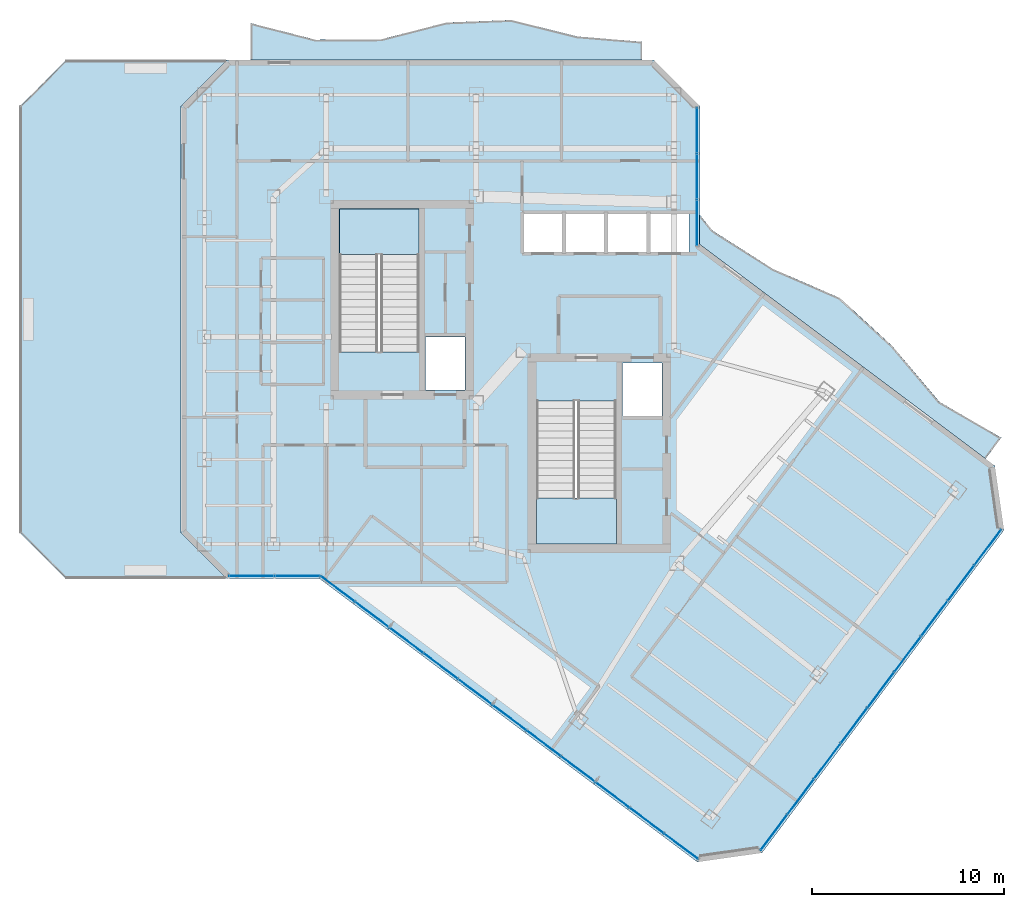
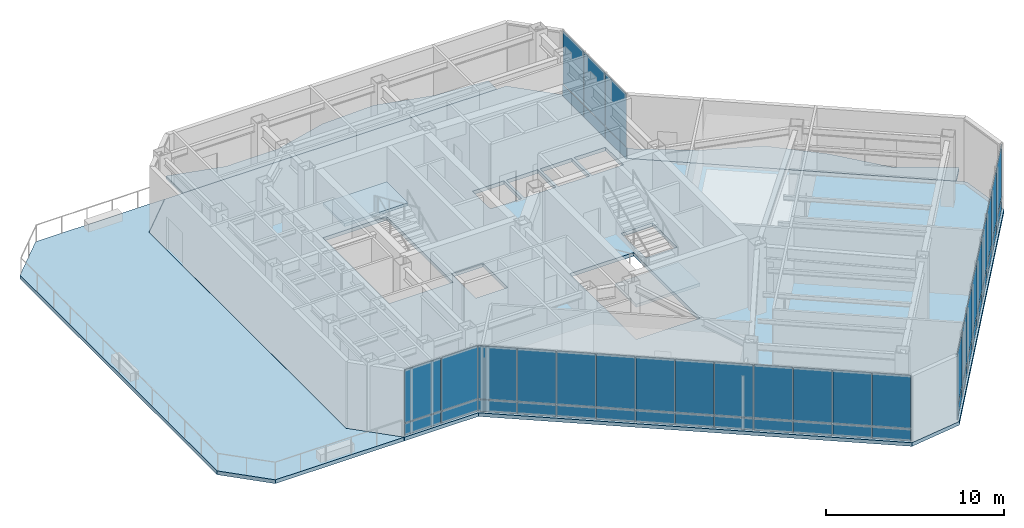
# One storey, part 15 of 21: 50 plates, 6 slabs, 6 elements without a shape of their own.
"""IFC4 building model written with IfcOpenShell, lengths in metres."""

from ifc_helpers import new_model, si_unit, direction, frame, origin, origin_2d, place, context, subcontext, project, spatial, polyline, rectangle, outline, extrude, material, layer, layer_set, type_object, element, aggregate, save


model = new_model("IFC4")

# Units and contexts
model_context = context("Model", 3, precision=1e-05, world=origin(), true_north=direction((0.0, 1.0)))
body_context = subcontext(model_context, "Body", "Model", "MODEL_VIEW")
ifc_project = project(units=[si_unit("LENGTHUNIT", "METRE"), si_unit("AREAUNIT", "SQUARE_METRE"), si_unit("VOLUMEUNIT", "CUBIC_METRE"), si_unit("PLANEANGLEUNIT", "RADIAN"), si_unit("MASSUNIT", "GRAM", prefix="KILO")], contexts=[model_context])

# Site, building, storey
site_placement = place(None, origin())
site = spatial("IfcSite", under=ifc_project, at=site_placement, CompositionType="ELEMENT")
building_placement = place(site_placement, origin())
building = spatial("IfcBuilding", under=site, at=building_placement, Name="Hatsunagi Terrace Concourse", CompositionType="ELEMENT")
storey_placement = place(building_placement, frame((0.0, 0.0, 186.75)))
storey = spatial("IfcBuildingStorey", under=building, at=storey_placement, Name="L49", CompositionType="ELEMENT", Elevation=186.75)

# Curtain wall, plates
ifc_material_1 = material(Name="Anodised Aluminium Alloy 6063-T5", Category="aluminium")
ifc_layer_1 = layer(ifc_material_1, 0.199951171875)
ifc_layer_set_1 = layer_set([ifc_layer_1], Name="SkyLobbyAtrium_CW05")
curtain_wall_type = type_object("IfcCurtainWallType", Name="SkyLobbyAtrium_CW05", PredefinedType="NOTDEFINED", material=ifc_layer_set_1)
curtain_wall_1_placement = place(storey_placement, origin())
curtain_wall_1 = element("IfcCurtainWall", 1, at=curtain_wall_1_placement, inside=storey, type_object=curtain_wall_type, Name="Unitised Curtain Wall CW-05 CW-L49-03", PredefinedType="NOTDEFINED")
ifc_material_2 = material(Name="Warm Terracotta Ceramic Spandrel Panel", Category="masonry")
ifc_layer_2 = layer(ifc_material_2, 0.031982421875)
ifc_layer_set_2 = layer_set([ifc_layer_2], Name="CurtainWallSpandrelPanel_32")
plate_type_1 = type_object("IfcPlateType", Name="CurtainWallSpandrelPanel_32", PredefinedType="SHEET", material=ifc_layer_set_2)
plate_1_placement = place(storey_placement, frame((59.9970703125, 25.030029296875, 0.030029296875), z_axis=(0.0, 0.0, 1.0), x_axis=(-0.599969314634, -0.800023013105, 0.0)))
plate_1 = element("IfcPlate", 2, at=plate_1_placement, type_object=plate_type_1, Name="Terracotta Spandrel Panel SPN-01", PredefinedType="SHEET", context=body_context, shape_type="SweptSolid", body=[
    extrude(rectangle(XDim=2.264892578125, YDim=0.031982421875, at=origin_2d()), origin(), (0.0, 0.0, 1.0), 0.7900390625),
])
plate_2_placement = place(storey_placement, frame((58.60498046875, 23.173095703125, 0.030029296875), z_axis=(0.0, 0.0, 1.0), x_axis=(-0.599969314634, -0.800023013105, 0.0)))
plate_2 = element("IfcPlate", 3, at=plate_2_placement, type_object=plate_type_1, Name="Terracotta Spandrel Panel SPN-01", PredefinedType="SHEET", context=body_context, shape_type="SweptSolid", body=[
    extrude(rectangle(XDim=2.264892578125, YDim=0.031982421875, at=origin_2d()), origin(), (0.0, 0.0, 1.0), 0.7900390625),
])
plate_3_placement = place(storey_placement, frame((57.2119140625, 21.31689453125, 0.030029296875), z_axis=(0.0, 0.0, 1.0), x_axis=(-0.599969314634, -0.800023013105, 0.0)))
plate_3 = element("IfcPlate", 4, at=plate_3_placement, type_object=plate_type_1, Name="Terracotta Spandrel Panel SPN-01", PredefinedType="SHEET", context=body_context, shape_type="SweptSolid", body=[
    extrude(rectangle(XDim=2.264892578125, YDim=0.031982421875, at=origin_2d()), origin(), (0.0, 0.0, 1.0), 0.7900390625),
])
plate_4_placement = place(storey_placement, frame((55.820068359375, 19.4599609375, 0.030029296875), z_axis=(0.0, 0.0, 1.0), x_axis=(-0.599969314634, -0.800023013105, 0.0)))
plate_4 = element("IfcPlate", 5, at=plate_4_placement, type_object=plate_type_1, Name="Terracotta Spandrel Panel SPN-01", PredefinedType="SHEET", context=body_context, shape_type="SweptSolid", body=[
    extrude(rectangle(XDim=2.264892578125, YDim=0.031982421875, at=origin_2d()), origin(), (0.0, 0.0, 1.0), 0.7900390625),
])
plate_5_placement = place(storey_placement, frame((54.427978515625, 17.60400390625, 0.030029296875), z_axis=(0.0, 0.0, 1.0), x_axis=(-0.599969314634, -0.800023013105, 0.0)))
plate_5 = element("IfcPlate", 6, at=plate_5_placement, type_object=plate_type_1, Name="Terracotta Spandrel Panel SPN-01", PredefinedType="SHEET", context=body_context, shape_type="SweptSolid", body=[
    extrude(rectangle(XDim=2.264892578125, YDim=0.031982421875, at=origin_2d()), origin(), (0.0, 0.0, 1.0), 0.7900390625),
])
plate_6_placement = place(storey_placement, frame((53.035888671875, 15.748046875, 0.030029296875), z_axis=(0.0, 0.0, 1.0), x_axis=(-0.599969314634, -0.800023013105, 0.0)))
plate_6 = element("IfcPlate", 7, at=plate_6_placement, type_object=plate_type_1, Name="Terracotta Spandrel Panel SPN-01", PredefinedType="SHEET", context=body_context, shape_type="SweptSolid", body=[
    extrude(rectangle(XDim=2.264892578125, YDim=0.031982421875, at=origin_2d()), origin(), (0.0, 0.0, 1.0), 0.7900390625),
])
plate_7_placement = place(storey_placement, frame((51.64404296875, 13.89111328125, 0.030029296875), z_axis=(0.0, 0.0, 1.0), x_axis=(-0.599969314634, -0.800023013105, 0.0)))
plate_7 = element("IfcPlate", 8, at=plate_7_placement, type_object=plate_type_1, Name="Terracotta Spandrel Panel SPN-01", PredefinedType="SHEET", context=body_context, shape_type="SweptSolid", body=[
    extrude(rectangle(XDim=2.264892578125, YDim=0.031982421875, at=origin_2d()), origin(), (0.0, 0.0, 1.0), 0.7900390625),
])
plate_8_placement = place(storey_placement, frame((50.2509765625, 12.034912109375, 0.030029296875), z_axis=(0.0, 0.0, 1.0), x_axis=(-0.599969314634, -0.800023013105, 0.0)))
plate_8 = element("IfcPlate", 9, at=plate_8_placement, type_object=plate_type_1, Name="Terracotta Spandrel Panel SPN-01", PredefinedType="SHEET", context=body_context, shape_type="SweptSolid", body=[
    extrude(rectangle(XDim=2.264892578125, YDim=0.031982421875, at=origin_2d()), origin(), (0.0, 0.0, 1.0), 0.7900390625),
])
plate_9_placement = place(storey_placement, frame((48.85888671875, 10.177978515625, 0.030029296875), z_axis=(0.0, 0.0, 1.0), x_axis=(-0.599969314634, -0.800023013105, 0.0)))
plate_9 = element("IfcPlate", 10, at=plate_9_placement, type_object=plate_type_1, Name="Terracotta Spandrel Panel SPN-01", PredefinedType="SHEET", context=body_context, shape_type="SweptSolid", body=[
    extrude(rectangle(XDim=2.264892578125, YDim=0.031982421875, at=origin_2d()), origin(), (0.0, 0.0, 1.0), 0.7900390625),
])

curtain_wall_2_placement = place(storey_placement, origin())
curtain_wall_2 = element("IfcCurtainWall", 11, at=curtain_wall_2_placement, inside=storey, type_object=curtain_wall_type, Name="Unitised Curtain Wall CW-05 CW-L49-05", PredefinedType="NOTDEFINED")
plate_10_placement = place(storey_placement, frame((44.02392578125, 9.4580078125, 0.030029296875), z_axis=(0.0, 0.0, 1.0), x_axis=(-0.800005211305, 0.599993051531, 0.0)))
plate_10 = element("IfcPlate", 12, at=plate_10_placement, type_object=plate_type_1, Name="Terracotta Spandrel Panel SPN-01", PredefinedType="SHEET", context=body_context, shape_type="SweptSolid", body=[
    extrude(rectangle(XDim=2.179931640625, YDim=0.031982421875, at=origin_2d()), origin(), (0.0, 0.0, 1.0), 0.7900390625),
])
plate_11_placement = place(storey_placement, frame((42.236083984375, 10.799072265625, 0.030029296875), z_axis=(0.0, 0.0, 1.0), x_axis=(-0.800005211305, 0.599993051531, 0.0)))
plate_11 = element("IfcPlate", 13, at=plate_11_placement, type_object=plate_type_1, Name="Terracotta Spandrel Panel SPN-01", PredefinedType="SHEET", context=body_context, shape_type="SweptSolid", body=[
    extrude(rectangle(XDim=2.179931640625, YDim=0.031982421875, at=origin_2d()), origin(), (0.0, 0.0, 1.0), 0.7900390625),
])
plate_12_placement = place(storey_placement, frame((40.447021484375, 12.139892578125, 0.030029296875), z_axis=(0.0, 0.0, 1.0), x_axis=(-0.800005211305, 0.599993051531, 0.0)))
plate_12 = element("IfcPlate", 14, at=plate_12_placement, type_object=plate_type_1, Name="Terracotta Spandrel Panel SPN-01", PredefinedType="SHEET", context=body_context, shape_type="SweptSolid", body=[
    extrude(rectangle(XDim=2.179931640625, YDim=0.031982421875, at=origin_2d()), origin(), (0.0, 0.0, 1.0), 0.7900390625),
])
plate_13_placement = place(storey_placement, frame((38.658935546875, 13.48095703125, 0.030029296875), z_axis=(0.0, 0.0, 1.0), x_axis=(-0.800005211305, 0.599993051531, 0.0)))
plate_13 = element("IfcPlate", 15, at=plate_13_placement, type_object=plate_type_1, Name="Terracotta Spandrel Panel SPN-01", PredefinedType="SHEET", context=body_context, shape_type="SweptSolid", body=[
    extrude(rectangle(XDim=2.179931640625, YDim=0.031982421875, at=origin_2d()), origin(), (0.0, 0.0, 1.0), 0.7900390625),
])
plate_14_placement = place(storey_placement, frame((36.87109375, 14.822021484375, 0.030029296875), z_axis=(0.0, 0.0, 1.0), x_axis=(-0.800005211305, 0.599993051531, 0.0)))
plate_14 = element("IfcPlate", 16, at=plate_14_placement, type_object=plate_type_1, Name="Terracotta Spandrel Panel SPN-01", PredefinedType="SHEET", context=body_context, shape_type="SweptSolid", body=[
    extrude(rectangle(XDim=2.179931640625, YDim=0.031982421875, at=origin_2d()), origin(), (0.0, 0.0, 1.0), 0.7900390625),
])
plate_15_placement = place(storey_placement, frame((35.08203125, 16.1630859375, 0.030029296875), z_axis=(0.0, 0.0, 1.0), x_axis=(-0.800005211305, 0.599993051531, 0.0)))
plate_15 = element("IfcPlate", 17, at=plate_15_placement, type_object=plate_type_1, Name="Terracotta Spandrel Panel SPN-01", PredefinedType="SHEET", context=body_context, shape_type="SweptSolid", body=[
    extrude(rectangle(XDim=2.179931640625, YDim=0.031982421875, at=origin_2d()), origin(), (0.0, 0.0, 1.0), 0.7900390625),
])
plate_16_placement = place(storey_placement, frame((33.2939453125, 17.5048828125, 0.030029296875), z_axis=(0.0, 0.0, 1.0), x_axis=(-0.800005211305, 0.599993051531, 0.0)))
plate_16 = element("IfcPlate", 18, at=plate_16_placement, type_object=plate_type_1, Name="Terracotta Spandrel Panel SPN-01", PredefinedType="SHEET", context=body_context, shape_type="SweptSolid", body=[
    extrude(rectangle(XDim=2.179931640625, YDim=0.031982421875, at=origin_2d()), origin(), (0.0, 0.0, 1.0), 0.7900390625),
])
plate_17_placement = place(storey_placement, frame((31.506103515625, 18.845947265625, 0.030029296875), z_axis=(0.0, 0.0, 1.0), x_axis=(-0.800005211305, 0.599993051531, 0.0)))
plate_17 = element("IfcPlate", 19, at=plate_17_placement, type_object=plate_type_1, Name="Terracotta Spandrel Panel SPN-01", PredefinedType="SHEET", context=body_context, shape_type="SweptSolid", body=[
    extrude(rectangle(XDim=2.179931640625, YDim=0.031982421875, at=origin_2d()), origin(), (0.0, 0.0, 1.0), 0.7900390625),
])
plate_18_placement = place(storey_placement, frame((29.718017578125, 20.18701171875, 0.030029296875), z_axis=(0.0, 0.0, 1.0), x_axis=(-0.800005211305, 0.599993051531, 0.0)))
plate_18 = element("IfcPlate", 20, at=plate_18_placement, type_object=plate_type_1, Name="Terracotta Spandrel Panel SPN-01", PredefinedType="SHEET", context=body_context, shape_type="SweptSolid", body=[
    extrude(rectangle(XDim=2.179931640625, YDim=0.031982421875, at=origin_2d()), origin(), (0.0, 0.0, 1.0), 0.7900390625),
])
plate_19_placement = place(storey_placement, frame((27.928955078125, 21.528076171875, 0.030029296875), z_axis=(0.0, 0.0, 1.0), x_axis=(-0.800005211305, 0.599993051531, 0.0)))
plate_19 = element("IfcPlate", 21, at=plate_19_placement, type_object=plate_type_1, Name="Terracotta Spandrel Panel SPN-01", PredefinedType="SHEET", context=body_context, shape_type="SweptSolid", body=[
    extrude(rectangle(XDim=2.179931640625, YDim=0.031982421875, at=origin_2d()), origin(), (0.0, 0.0, 1.0), 0.7900390625),
])
plate_20_placement = place(storey_placement, frame((26.14111328125, 22.868896484375, 0.030029296875), z_axis=(0.0, 0.0, 1.0), x_axis=(-0.800005211305, 0.599993051531, 0.0)))
plate_20 = element("IfcPlate", 22, at=plate_20_placement, type_object=plate_type_1, Name="Terracotta Spandrel Panel SPN-01", PredefinedType="SHEET", context=body_context, shape_type="SweptSolid", body=[
    extrude(rectangle(XDim=2.179931640625, YDim=0.031982421875, at=origin_2d()), origin(), (0.0, 0.0, 1.0), 0.7900390625),
])

curtain_wall_3_placement = place(storey_placement, origin())
curtain_wall_3 = element("IfcCurtainWall", 23, at=curtain_wall_3_placement, inside=storey, type_object=curtain_wall_type, Name="Unitised Curtain Wall CW-05 CW-L49-06", PredefinedType="NOTDEFINED")
plate_21_placement = place(storey_placement, frame((24.050048828125, 23.5400390625, 0.030029296875), z_axis=(0.0, 0.0, 1.0), x_axis=(-1.0, 0.0, 0.0)))
plate_21 = element("IfcPlate", 24, at=plate_21_placement, type_object=plate_type_1, Name="Terracotta Spandrel Panel SPN-01", PredefinedType="SHEET", context=body_context, shape_type="SweptSolid", body=[
    extrude(rectangle(XDim=2.340087890625, YDim=0.031982421875, at=origin_2d()), origin(), (0.0, 0.0, 1.0), 0.7900390625),
])
plate_22_placement = place(storey_placement, frame((21.655029296875, 23.5400390625, 0.030029296875), z_axis=(0.0, 0.0, 1.0), x_axis=(-1.0, 0.0, 0.0)))
plate_22 = element("IfcPlate", 25, at=plate_22_placement, type_object=plate_type_1, Name="Terracotta Spandrel Panel SPN-01", PredefinedType="SHEET", context=body_context, shape_type="SweptSolid", body=[
    extrude(rectangle(XDim=2.340087890625, YDim=0.031982421875, at=origin_2d()), origin(), (0.0, 0.0, 1.0), 0.7900390625),
])

curtain_wall_4_placement = place(storey_placement, origin())
curtain_wall_4 = element("IfcCurtainWall", 26, at=curtain_wall_4_placement, inside=storey, type_object=curtain_wall_type, Name="Unitised Curtain Wall CW-05 CW-L49-12", PredefinedType="NOTDEFINED")
plate_23_placement = place(storey_placement, frame((44.860107421875, 46.739990234375, 0.030029296875), z_axis=(0.0, 0.0, 1.0), x_axis=(0.0, -1.0, 0.0)))
plate_23 = element("IfcPlate", 27, at=plate_23_placement, type_object=plate_type_1, Name="Terracotta Spandrel Panel SPN-01", PredefinedType="SHEET", context=body_context, shape_type="SweptSolid", body=[
    extrude(rectangle(XDim=2.34912109375, YDim=0.031982421875, at=origin_2d()), origin(), (0.0, 0.0, 1.0), 0.7900390625),
])
plate_24_placement = place(storey_placement, frame((44.860107421875, 44.3359375, 0.030029296875), z_axis=(0.0, 0.0, 1.0), x_axis=(0.0, -1.0, 0.0)))
plate_24 = element("IfcPlate", 28, at=plate_24_placement, type_object=plate_type_1, Name="Terracotta Spandrel Panel SPN-01", PredefinedType="SHEET", context=body_context, shape_type="SweptSolid", body=[
    extrude(rectangle(XDim=2.34912109375, YDim=0.031982421875, at=origin_2d()), origin(), (0.0, 0.0, 1.0), 0.7900390625),
])
plate_25_placement = place(storey_placement, frame((44.860107421875, 41.931884765625, 0.030029296875), z_axis=(0.0, 0.0, 1.0), x_axis=(0.0, -1.0, 0.0)))
plate_25 = element("IfcPlate", 29, at=plate_25_placement, type_object=plate_type_1, Name="Terracotta Spandrel Panel SPN-01", PredefinedType="SHEET", context=body_context, shape_type="SweptSolid", body=[
    extrude(rectangle(XDim=2.34912109375, YDim=0.031982421875, at=origin_2d()), origin(), (0.0, 0.0, 1.0), 0.7900390625),
])

# Plate
ifc_material_3 = material(Name="Low-E Double Insulating Glass 28mm", Category="glass")
ifc_layer_3 = layer(ifc_material_3, 0.028076171875)
ifc_layer_set_3 = layer_set([ifc_layer_3], Name="CurtainWallVisionGlass_28")
plate_type_2 = type_object("IfcPlateType", Name="CurtainWallVisionGlass_28", PredefinedType="CURTAIN_PANEL", material=ifc_layer_set_3)
plate_26_placement = place(storey_placement, frame((59.9970703125, 25.030029296875, 0.8798828125), z_axis=(0.0, 0.0, 1.0), x_axis=(-0.599969314634, -0.800023013105, 0.0)))
plate_26 = element("IfcPlate", 30, at=plate_26_placement, type_object=plate_type_2, Name="Low-E Vision Glass Panel GLZ-01", PredefinedType="CURTAIN_PANEL", context=body_context, shape_type="SweptSolid", body=[
    extrude(rectangle(XDim=2.264892578125, YDim=0.028076171875, at=origin_2d()), origin(), (0.0, 0.0, 1.0), 3.639892578125),
])

plate_27_placement = place(storey_placement, frame((58.60498046875, 23.173095703125, 0.8798828125), z_axis=(0.0, 0.0, 1.0), x_axis=(-0.599969314634, -0.800023013105, 0.0)))
plate_27 = element("IfcPlate", 31, at=plate_27_placement, type_object=plate_type_2, Name="Low-E Vision Glass Panel GLZ-01", PredefinedType="CURTAIN_PANEL", context=body_context, shape_type="SweptSolid", body=[
    extrude(rectangle(XDim=2.264892578125, YDim=0.028076171875, at=origin_2d()), origin(), (0.0, 0.0, 1.0), 3.639892578125),
])

plate_28_placement = place(storey_placement, frame((57.2119140625, 21.31689453125, 0.8798828125), z_axis=(0.0, 0.0, 1.0), x_axis=(-0.599969314634, -0.800023013105, 0.0)))
plate_28 = element("IfcPlate", 32, at=plate_28_placement, type_object=plate_type_2, Name="Low-E Vision Glass Panel GLZ-01", PredefinedType="CURTAIN_PANEL", context=body_context, shape_type="SweptSolid", body=[
    extrude(rectangle(XDim=2.264892578125, YDim=0.028076171875, at=origin_2d()), origin(), (0.0, 0.0, 1.0), 3.639892578125),
])

plate_29_placement = place(storey_placement, frame((55.820068359375, 19.4599609375, 0.8798828125), z_axis=(0.0, 0.0, 1.0), x_axis=(-0.599969314634, -0.800023013105, 0.0)))
plate_29 = element("IfcPlate", 33, at=plate_29_placement, type_object=plate_type_2, Name="Low-E Vision Glass Panel GLZ-01", PredefinedType="CURTAIN_PANEL", context=body_context, shape_type="SweptSolid", body=[
    extrude(rectangle(XDim=2.264892578125, YDim=0.028076171875, at=origin_2d()), origin(), (0.0, 0.0, 1.0), 3.639892578125),
])

plate_30_placement = place(storey_placement, frame((54.427978515625, 17.60400390625, 0.8798828125), z_axis=(0.0, 0.0, 1.0), x_axis=(-0.599969314634, -0.800023013105, 0.0)))
plate_30 = element("IfcPlate", 34, at=plate_30_placement, type_object=plate_type_2, Name="Low-E Vision Glass Panel GLZ-01", PredefinedType="CURTAIN_PANEL", context=body_context, shape_type="SweptSolid", body=[
    extrude(rectangle(XDim=2.264892578125, YDim=0.028076171875, at=origin_2d()), origin(), (0.0, 0.0, 1.0), 3.639892578125),
])

plate_31_placement = place(storey_placement, frame((53.035888671875, 15.748046875, 0.8798828125), z_axis=(0.0, 0.0, 1.0), x_axis=(-0.599969314634, -0.800023013105, 0.0)))
plate_31 = element("IfcPlate", 35, at=plate_31_placement, type_object=plate_type_2, Name="Low-E Vision Glass Panel GLZ-01", PredefinedType="CURTAIN_PANEL", context=body_context, shape_type="SweptSolid", body=[
    extrude(rectangle(XDim=2.264892578125, YDim=0.028076171875, at=origin_2d()), origin(), (0.0, 0.0, 1.0), 3.639892578125),
])

plate_32_placement = place(storey_placement, frame((51.64404296875, 13.89111328125, 0.8798828125), z_axis=(0.0, 0.0, 1.0), x_axis=(-0.599969314634, -0.800023013105, 0.0)))
plate_32 = element("IfcPlate", 36, at=plate_32_placement, type_object=plate_type_2, Name="Low-E Vision Glass Panel GLZ-01", PredefinedType="CURTAIN_PANEL", context=body_context, shape_type="SweptSolid", body=[
    extrude(rectangle(XDim=2.264892578125, YDim=0.028076171875, at=origin_2d()), origin(), (0.0, 0.0, 1.0), 3.639892578125),
])

plate_33_placement = place(storey_placement, frame((50.2509765625, 12.034912109375, 0.8798828125), z_axis=(0.0, 0.0, 1.0), x_axis=(-0.599969314634, -0.800023013105, 0.0)))
plate_33 = element("IfcPlate", 37, at=plate_33_placement, type_object=plate_type_2, Name="Low-E Vision Glass Panel GLZ-01", PredefinedType="CURTAIN_PANEL", context=body_context, shape_type="SweptSolid", body=[
    extrude(rectangle(XDim=2.264892578125, YDim=0.028076171875, at=origin_2d()), origin(), (0.0, 0.0, 1.0), 3.639892578125),
])

plate_34_placement = place(storey_placement, frame((48.85888671875, 10.177978515625, 0.8798828125), z_axis=(0.0, 0.0, 1.0), x_axis=(-0.599969314634, -0.800023013105, 0.0)))
plate_34 = element("IfcPlate", 38, at=plate_34_placement, type_object=plate_type_2, Name="Low-E Vision Glass Panel GLZ-01", PredefinedType="CURTAIN_PANEL", context=body_context, shape_type="SweptSolid", body=[
    extrude(rectangle(XDim=2.264892578125, YDim=0.028076171875, at=origin_2d()), origin(), (0.0, 0.0, 1.0), 3.639892578125),
])

aggregate(curtain_wall_1, [plate_1, plate_26, plate_2, plate_27, plate_3, plate_28, plate_4, plate_29, plate_5, plate_30, plate_6, plate_31, plate_7, plate_32, plate_8, plate_33, plate_9, plate_34])

plate_35_placement = place(storey_placement, frame((44.02392578125, 9.4580078125, 0.8798828125), z_axis=(0.0, 0.0, 1.0), x_axis=(-0.800005211305, 0.599993051531, 0.0)))
plate_35 = element("IfcPlate", 39, at=plate_35_placement, type_object=plate_type_2, Name="Low-E Vision Glass Panel GLZ-01", PredefinedType="CURTAIN_PANEL", context=body_context, shape_type="SweptSolid", body=[
    extrude(rectangle(XDim=2.179931640625, YDim=0.028076171875, at=origin_2d()), origin(), (0.0, 0.0, 1.0), 3.639892578125),
])

plate_36_placement = place(storey_placement, frame((42.236083984375, 10.799072265625, 0.8798828125), z_axis=(0.0, 0.0, 1.0), x_axis=(-0.800005211305, 0.599993051531, 0.0)))
plate_36 = element("IfcPlate", 40, at=plate_36_placement, type_object=plate_type_2, Name="Low-E Vision Glass Panel GLZ-01", PredefinedType="CURTAIN_PANEL", context=body_context, shape_type="SweptSolid", body=[
    extrude(rectangle(XDim=2.179931640625, YDim=0.028076171875, at=origin_2d()), origin(), (0.0, 0.0, 1.0), 3.639892578125),
])

plate_37_placement = place(storey_placement, frame((40.447021484375, 12.139892578125, 0.8798828125), z_axis=(0.0, 0.0, 1.0), x_axis=(-0.800005211305, 0.599993051531, 0.0)))
plate_37 = element("IfcPlate", 41, at=plate_37_placement, type_object=plate_type_2, Name="Low-E Vision Glass Panel GLZ-01", PredefinedType="CURTAIN_PANEL", context=body_context, shape_type="SweptSolid", body=[
    extrude(rectangle(XDim=2.179931640625, YDim=0.028076171875, at=origin_2d()), origin(), (0.0, 0.0, 1.0), 3.639892578125),
])

plate_38_placement = place(storey_placement, frame((38.658935546875, 13.48095703125, 0.8798828125), z_axis=(0.0, 0.0, 1.0), x_axis=(-0.800005211305, 0.599993051531, 0.0)))
plate_38 = element("IfcPlate", 42, at=plate_38_placement, type_object=plate_type_2, Name="Low-E Vision Glass Panel GLZ-01", PredefinedType="CURTAIN_PANEL", context=body_context, shape_type="SweptSolid", body=[
    extrude(rectangle(XDim=2.179931640625, YDim=0.028076171875, at=origin_2d()), origin(), (0.0, 0.0, 1.0), 3.639892578125),
])

plate_39_placement = place(storey_placement, frame((36.87109375, 14.822021484375, 0.8798828125), z_axis=(0.0, 0.0, 1.0), x_axis=(-0.800005211305, 0.599993051531, 0.0)))
plate_39 = element("IfcPlate", 43, at=plate_39_placement, type_object=plate_type_2, Name="Low-E Vision Glass Panel GLZ-01", PredefinedType="CURTAIN_PANEL", context=body_context, shape_type="SweptSolid", body=[
    extrude(rectangle(XDim=2.179931640625, YDim=0.028076171875, at=origin_2d()), origin(), (0.0, 0.0, 1.0), 3.639892578125),
])

plate_40_placement = place(storey_placement, frame((35.08203125, 16.1630859375, 0.8798828125), z_axis=(0.0, 0.0, 1.0), x_axis=(-0.800005211305, 0.599993051531, 0.0)))
plate_40 = element("IfcPlate", 44, at=plate_40_placement, type_object=plate_type_2, Name="Low-E Vision Glass Panel GLZ-01", PredefinedType="CURTAIN_PANEL", context=body_context, shape_type="SweptSolid", body=[
    extrude(rectangle(XDim=2.179931640625, YDim=0.028076171875, at=origin_2d()), origin(), (0.0, 0.0, 1.0), 3.639892578125),
])

plate_41_placement = place(storey_placement, frame((33.2939453125, 17.5048828125, 0.8798828125), z_axis=(0.0, 0.0, 1.0), x_axis=(-0.800005211305, 0.599993051531, 0.0)))
plate_41 = element("IfcPlate", 45, at=plate_41_placement, type_object=plate_type_2, Name="Low-E Vision Glass Panel GLZ-01", PredefinedType="CURTAIN_PANEL", context=body_context, shape_type="SweptSolid", body=[
    extrude(rectangle(XDim=2.179931640625, YDim=0.028076171875, at=origin_2d()), origin(), (0.0, 0.0, 1.0), 3.639892578125),
])

plate_42_placement = place(storey_placement, frame((31.506103515625, 18.845947265625, 0.8798828125), z_axis=(0.0, 0.0, 1.0), x_axis=(-0.800005211305, 0.599993051531, 0.0)))
plate_42 = element("IfcPlate", 46, at=plate_42_placement, type_object=plate_type_2, Name="Low-E Vision Glass Panel GLZ-01", PredefinedType="CURTAIN_PANEL", context=body_context, shape_type="SweptSolid", body=[
    extrude(rectangle(XDim=2.179931640625, YDim=0.028076171875, at=origin_2d()), origin(), (0.0, 0.0, 1.0), 3.639892578125),
])

plate_43_placement = place(storey_placement, frame((29.718017578125, 20.18701171875, 0.8798828125), z_axis=(0.0, 0.0, 1.0), x_axis=(-0.800005211305, 0.599993051531, 0.0)))
plate_43 = element("IfcPlate", 47, at=plate_43_placement, type_object=plate_type_2, Name="Low-E Vision Glass Panel GLZ-01", PredefinedType="CURTAIN_PANEL", context=body_context, shape_type="SweptSolid", body=[
    extrude(rectangle(XDim=2.179931640625, YDim=0.028076171875, at=origin_2d()), origin(), (0.0, 0.0, 1.0), 3.639892578125),
])

plate_44_placement = place(storey_placement, frame((27.928955078125, 21.528076171875, 0.8798828125), z_axis=(0.0, 0.0, 1.0), x_axis=(-0.800005211305, 0.599993051531, 0.0)))
plate_44 = element("IfcPlate", 48, at=plate_44_placement, type_object=plate_type_2, Name="Low-E Vision Glass Panel GLZ-01", PredefinedType="CURTAIN_PANEL", context=body_context, shape_type="SweptSolid", body=[
    extrude(rectangle(XDim=2.179931640625, YDim=0.028076171875, at=origin_2d()), origin(), (0.0, 0.0, 1.0), 3.639892578125),
])

plate_45_placement = place(storey_placement, frame((26.14111328125, 22.868896484375, 0.8798828125), z_axis=(0.0, 0.0, 1.0), x_axis=(-0.800005211305, 0.599993051531, 0.0)))
plate_45 = element("IfcPlate", 49, at=plate_45_placement, type_object=plate_type_2, Name="Low-E Vision Glass Panel GLZ-01", PredefinedType="CURTAIN_PANEL", context=body_context, shape_type="SweptSolid", body=[
    extrude(rectangle(XDim=2.179931640625, YDim=0.028076171875, at=origin_2d()), origin(), (0.0, 0.0, 1.0), 3.639892578125),
])

aggregate(curtain_wall_2, [plate_10, plate_35, plate_11, plate_36, plate_12, plate_37, plate_13, plate_38, plate_14, plate_39, plate_15, plate_40, plate_16, plate_41, plate_17, plate_42, plate_18, plate_43, plate_19, plate_44, plate_20, plate_45])

plate_46_placement = place(storey_placement, frame((24.050048828125, 23.5400390625, 0.8798828125), z_axis=(0.0, 0.0, 1.0), x_axis=(-1.0, 0.0, 0.0)))
plate_46 = element("IfcPlate", 50, at=plate_46_placement, type_object=plate_type_2, Name="Low-E Vision Glass Panel GLZ-01", PredefinedType="CURTAIN_PANEL", context=body_context, shape_type="SweptSolid", body=[
    extrude(rectangle(XDim=2.340087890625, YDim=0.028076171875, at=origin_2d()), origin(), (0.0, 0.0, 1.0), 3.639892578125),
])

plate_47_placement = place(storey_placement, frame((21.655029296875, 23.5400390625, 0.8798828125), z_axis=(0.0, 0.0, 1.0), x_axis=(-1.0, 0.0, 0.0)))
plate_47 = element("IfcPlate", 51, at=plate_47_placement, type_object=plate_type_2, Name="Low-E Vision Glass Panel GLZ-01", PredefinedType="CURTAIN_PANEL", context=body_context, shape_type="SweptSolid", body=[
    extrude(rectangle(XDim=2.340087890625, YDim=0.028076171875, at=origin_2d()), origin(), (0.0, 0.0, 1.0), 3.639892578125),
])

aggregate(curtain_wall_3, [plate_21, plate_46, plate_22, plate_47])

plate_48_placement = place(storey_placement, frame((44.860107421875, 46.739990234375, 0.8798828125), z_axis=(0.0, 0.0, 1.0), x_axis=(0.0, -1.0, 0.0)))
plate_48 = element("IfcPlate", 52, at=plate_48_placement, type_object=plate_type_2, Name="Low-E Vision Glass Panel GLZ-01", PredefinedType="CURTAIN_PANEL", context=body_context, shape_type="SweptSolid", body=[
    extrude(rectangle(XDim=2.34912109375, YDim=0.028076171875, at=origin_2d()), origin(), (0.0, 0.0, 1.0), 3.639892578125),
])

plate_49_placement = place(storey_placement, frame((44.860107421875, 44.3359375, 0.8798828125), z_axis=(0.0, 0.0, 1.0), x_axis=(0.0, -1.0, 0.0)))
plate_49 = element("IfcPlate", 53, at=plate_49_placement, type_object=plate_type_2, Name="Low-E Vision Glass Panel GLZ-01", PredefinedType="CURTAIN_PANEL", context=body_context, shape_type="SweptSolid", body=[
    extrude(rectangle(XDim=2.34912109375, YDim=0.028076171875, at=origin_2d()), origin(), (0.0, 0.0, 1.0), 3.639892578125),
])

plate_50_placement = place(storey_placement, frame((44.860107421875, 41.931884765625, 0.8798828125), z_axis=(0.0, 0.0, 1.0), x_axis=(0.0, -1.0, 0.0)))
plate_50 = element("IfcPlate", 54, at=plate_50_placement, type_object=plate_type_2, Name="Low-E Vision Glass Panel GLZ-01", PredefinedType="CURTAIN_PANEL", context=body_context, shape_type="SweptSolid", body=[
    extrude(rectangle(XDim=2.34912109375, YDim=0.028076171875, at=origin_2d()), origin(), (0.0, 0.0, 1.0), 3.639892578125),
])

aggregate(curtain_wall_4, [plate_23, plate_48, plate_24, plate_49, plate_25, plate_50])

# Stair, slab
ifc_material_4 = material(Name="Concrete Fc42", Category="concrete")
stair_type = type_object("IfcStairType", Name="DoglegExitStair_Tower2000_28R_171", PredefinedType="HALF_TURN_STAIR", material=ifc_material_4)
stair_1_placement = place(storey_placement, origin())
stair_1 = element("IfcStair", 55, at=stair_1_placement, inside=storey, type_object=stair_type, Name="L49 Core A Protected Exit Stair ST-A", PredefinedType="HALF_TURN_STAIR")
ifc_material_5 = material(Name="Concrete Fc42", Category="concrete")
ifc_layer_4 = layer(ifc_material_5, 0.199951171875)
ifc_layer_set_4 = layer_set([ifc_layer_4], Name="DoglegStairLanding_Tower2000")
slab_type_1 = type_object("IfcSlabType", Name="DoglegStairLanding_Tower2000", PredefinedType="LANDING", material=ifc_layer_set_4)
slab_1_placement = place(storey_placement, frame((0.0, 0.0, 2.199951171875)))
slab_1 = element("IfcSlab", 56, at=slab_1_placement, type_object=slab_type_1, Name="ST-A landing 1", PredefinedType="LANDING", context=body_context, shape_type="SweptSolid", body=[
    extrude(outline(polyline([(30.3798828125, 40.27001953125), (30.3798828125, 42.659912109375), (26.22998046875, 42.659912109375), (26.22998046875, 40.27001953125), (30.3798828125, 40.27001953125)])), origin(), (0.0, 0.0, 1.0), 0.199951171875),
])
aggregate(stair_1, [slab_1])

stair_2_placement = place(storey_placement, origin())
stair_2 = element("IfcStair", 57, at=stair_2_placement, inside=storey, type_object=stair_type, Name="L49 Core B Protected Exit Stair ST-B", PredefinedType="HALF_TURN_STAIR")
slab_2_placement = place(storey_placement, frame((0.0, 0.0, 2.199951171875)))
slab_2 = element("IfcSlab", 58, at=slab_2_placement, type_object=slab_type_1, Name="ST-B landing 1", PredefinedType="LANDING", context=body_context, shape_type="SweptSolid", body=[
    extrude(outline(polyline([(36.5, 27.590087890625), (36.5, 25.199951171875), (40.64990234375, 25.199951171875), (40.64990234375, 27.590087890625), (36.5, 27.590087890625)])), origin(), (0.0, 0.0, 1.0), 0.199951171875),
])
aggregate(stair_2, [slab_2])

# Slabs
ifc_material_6 = material(Name="Concrete Fc42", Category="concrete")
ifc_layer_5 = layer(ifc_material_6, 0.199951171875)
ifc_layer_set_5 = layer_set([ifc_layer_5], Name="EngawaBalconySlab_Fc42_200")
slab_type_2 = type_object("IfcSlabType", Name="EngawaBalconySlab_Fc42_200", PredefinedType="FLOOR", material=ifc_layer_set_5)
slab_3_placement = place(storey_placement, frame((0.0, 0.0, -0.199951171875)))
element("IfcSlab", 59, at=slab_3_placement, inside=storey, type_object=slab_type_2, Name="Engawa Balcony Slab BAL-L49-BN", PredefinedType="FLOOR", context=body_context, shape_type="SweptSolid", body=[
    extrude(outline(polyline([(21.60009765625, 52.33203125), (21.60009765625, 50.39990234375), (42.0, 50.39990234375), (42.0, 51.35595703125), (38.60009765625, 51.635009765625), (35.199951171875, 52.489013671875), (31.800048828125, 52.35888671875), (28.39990234375, 51.48193359375), (25.0, 51.458984375), (21.60009765625, 52.33203125)])), origin(), (0.0, 0.0, 1.0), 0.199951171875),
])
slab_4_placement = place(storey_placement, frame((0.0, 0.0, -0.199951171875)))
element("IfcSlab", 60, at=slab_4_placement, inside=storey, type_object=slab_type_2, Name="Engawa Balcony Slab BAL-L49-BSE", PredefinedType="FLOOR", context=body_context, shape_type="SweptSolid", body=[
    extrude(outline(polyline([(45.6669921875, 41.52294921875), (44.99609375, 42.341064453125), (44.99609375, 40.802978515625), (59.8798828125, 29.639892578125), (60.702880859375, 30.737060546875), (57.47998046875, 32.60693359375), (55.030029296875, 35.506103515625), (52.2880859375, 38.01708984375), (48.799072265625, 39.531982421875), (45.6669921875, 41.52294921875)])), origin(), (0.0, 0.0, 1.0), 0.199951171875),
])
ifc_material_7 = material(Name="Concrete Fc42", Category="concrete")
ifc_layer_6 = layer(ifc_material_7, 0.25)
ifc_layer_set_6 = layer_set([ifc_layer_6], Name="OfficeCrownSlab_Fc42_250")
slab_type_3 = type_object("IfcSlabType", Name="OfficeCrownSlab_Fc42_250", PredefinedType="FLOOR", material=ifc_layer_set_6)
slab_5_placement = place(storey_placement, frame((0.0, 0.0, -0.25)))
element("IfcSlab", 61, at=slab_5_placement, inside=storey, type_object=slab_type_3, Name="Floor Slab SL-250 L49", PredefinedType="FLOOR", context=body_context, shape_type="SweptSolid", body=[
    extrude(outline(polyline([(45.0, 40.800048828125), (45.0, 48.0), (42.60009765625, 50.39990234375), (20.39990234375, 50.39990234375), (18.0, 48.0), (18.0, 25.800048828125), (20.39990234375, 23.39990234375), (25.199951171875, 23.39990234375), (44.8798828125, 8.639892578125), (48.239990234375, 9.1201171875), (60.840087890625, 25.919921875), (60.360107421875, 29.280029296875), (45.0, 40.800048828125)]), holes=[polyline([(26.22998046875, 35.205078125), (30.3798828125, 35.205078125), (30.3798828125, 42.659912109375), (26.22998046875, 42.659912109375), (26.22998046875, 35.205078125)]), polyline([(36.5, 25.199951171875), (40.64990234375, 25.199951171875), (40.64990234375, 32.655029296875), (36.5, 32.655029296875), (36.5, 25.199951171875)]), polyline([(30.719970703125, 33.219970703125), (32.780029296875, 33.219970703125), (32.780029296875, 35.97998046875), (30.719970703125, 35.97998046875), (30.719970703125, 33.219970703125)]), polyline([(40.97998046875, 31.8798828125), (43.02001953125, 31.8798828125), (43.02001953125, 34.639892578125), (40.97998046875, 34.639892578125), (40.97998046875, 31.8798828125)]), polyline([(35.800048828125, 40.39990234375), (37.85009765625, 40.39990234375), (37.85009765625, 42.39990234375), (35.800048828125, 42.39990234375), (35.800048828125, 40.39990234375)]), polyline([(38.0, 40.39990234375), (40.050048828125, 40.39990234375), (40.050048828125, 42.39990234375), (38.0, 42.39990234375), (38.0, 40.39990234375)]), polyline([(40.199951171875, 40.39990234375), (42.25, 40.39990234375), (42.25, 42.39990234375), (40.199951171875, 42.39990234375), (40.199951171875, 40.39990234375)]), polyline([(42.39990234375, 40.39990234375), (44.449951171875, 40.39990234375), (44.449951171875, 42.39990234375), (42.39990234375, 42.39990234375), (42.39990234375, 40.39990234375)])]), origin(), (0.0, 0.0, 1.0), 0.25),
])
ifc_material_8 = material(Name="Concrete Fc42", Category="concrete")
ifc_layer_7 = layer(ifc_material_8, 0.260009765625)
ifc_layer_set_7 = layer_set([ifc_layer_7], Name="SkyGardenTerraceSlab_Fc42_260")
slab_type_4 = type_object("IfcSlabType", Name="SkyGardenTerraceSlab_Fc42_260", PredefinedType="ROOF", material=ifc_layer_set_7)
slab_6_placement = place(storey_placement, frame((0.0, 0.0, -0.25)))
element("IfcSlab", 62, at=slab_6_placement, inside=storey, type_object=slab_type_4, Name="Sky Garden Terrace TER-L49-1", PredefinedType="ROOF", context=body_context, shape_type="SweptSolid", body=[
    extrude(outline(polyline([(12.0, 23.39990234375), (20.383056640625, 23.39990234375), (17.988037109375, 25.794921875), (17.988037109375, 48.0048828125), (20.383056640625, 50.39990234375), (12.0, 50.39990234375), (9.60009765625, 48.0), (9.60009765625, 25.800048828125), (12.0, 23.39990234375)])), origin(), (0.0, 0.0, 1.0), 0.260009765625),
])

save(model, "model.ifc")
